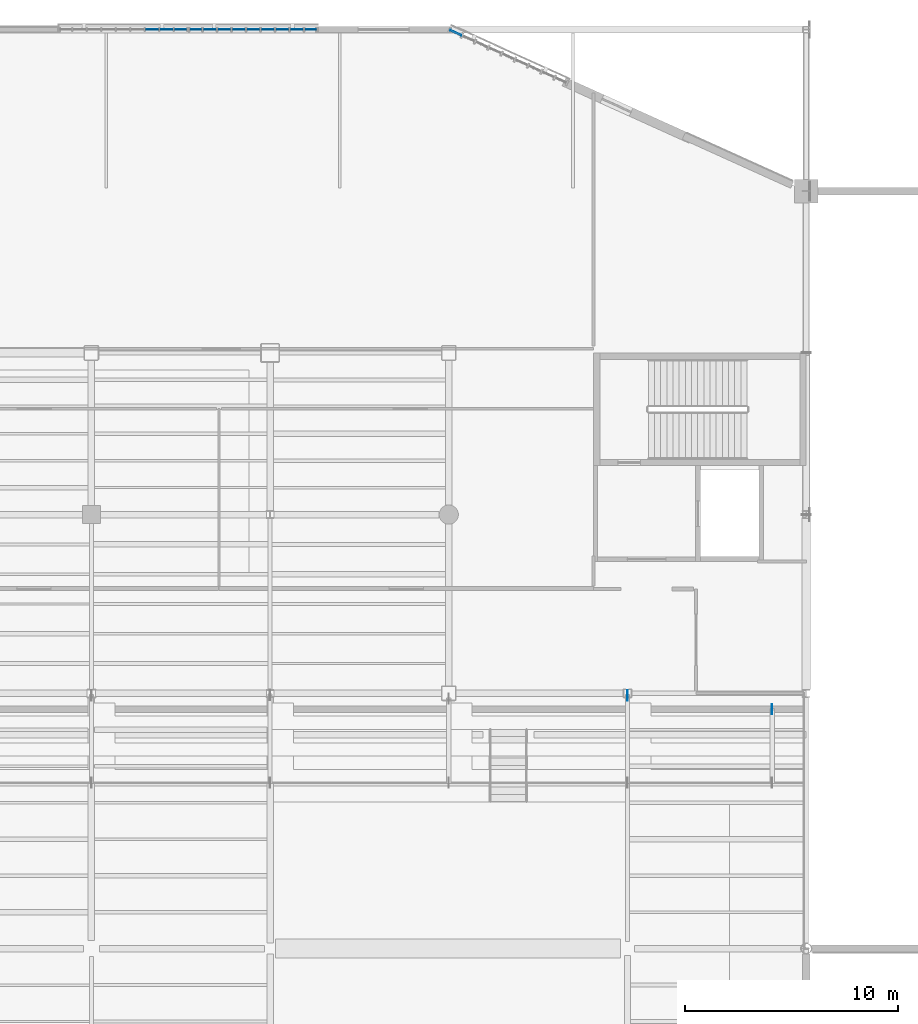
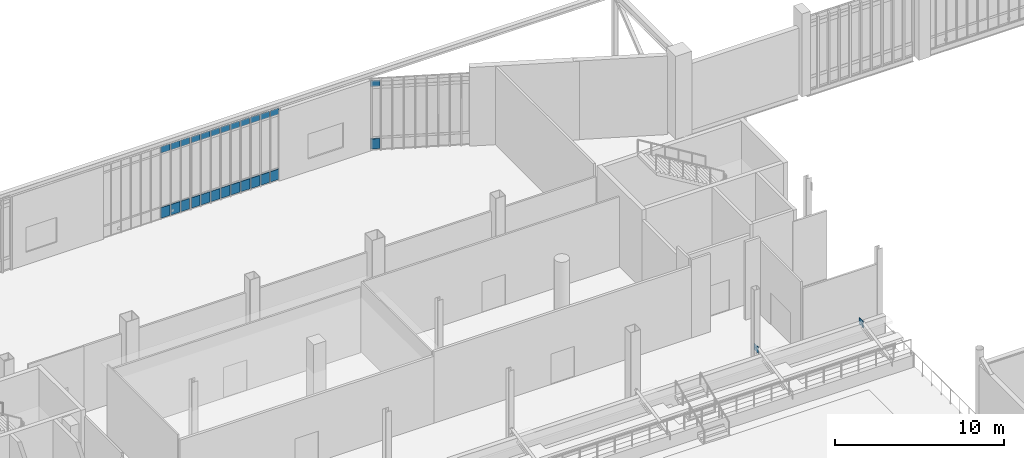
# One storey, part 98 of 135: 28 plates, 3 elements without a shape of their own.
"""IFC4 building model written with IfcOpenShell, lengths in metres."""

from ifc_helpers import new_model, si_unit, direction, frame, origin, origin_2d, place, context, subcontext, project, spatial, rectangle, extrude, material, layer, layer_set, type_object, element, aggregate, save


model = new_model("IFC4")

# Units and contexts
model_context = context("Model", 3, precision=1e-05, world=origin(), true_north=direction((0.0, 1.0)))
body_context = subcontext(model_context, "Body", "Model", "MODEL_VIEW")
ifc_project = project(units=[si_unit("LENGTHUNIT", "METRE"), si_unit("AREAUNIT", "SQUARE_METRE"), si_unit("VOLUMEUNIT", "CUBIC_METRE"), si_unit("PLANEANGLEUNIT", "RADIAN"), si_unit("MASSUNIT", "GRAM", prefix="KILO")], contexts=[model_context])

# Site, building, storey
site_placement = place(None, origin())
site = spatial("IfcSite", under=ifc_project, at=site_placement, CompositionType="ELEMENT")
building_placement = place(site_placement, origin())
building = spatial("IfcBuilding", under=site, at=building_placement, Name="Larkvane Passage Sports Hall", CompositionType="ELEMENT")
storey_placement = place(building_placement, frame((0.0, 0.0, 10.800048828125)))
storey = spatial("IfcBuildingStorey", under=building, at=storey_placement, Name="L02", CompositionType="ELEMENT", Elevation=10.800048828125)

# Curtain wall, plate
ifc_material_1 = material(Name="Thermally broken aluminium and low-E glazing", Category="aluminium")
curtain_wall_type_1 = type_object("IfcCurtainWallType", Name="CW-STICK-FOYER", PredefinedType="USERDEFINED", material=ifc_material_1)
curtain_wall_1_placement = place(storey_placement, origin())
curtain_wall_1 = element("IfcCurtainWall", 1, at=curtain_wall_1_placement, inside=storey, type_object=curtain_wall_type_1, Name="Curtain wall CW5-L02-078", ObjectType="STICK CURTAIN WALL", PredefinedType="USERDEFINED")
ifc_material_2 = material(Name="Fire-stopped shadow-box spandrel panel")
ifc_layer_1 = layer(ifc_material_2, 0.10498046875)
ifc_layer_set_1 = layer_set([ifc_layer_1], Name="Fire-stopped shadow-box spandrel panel")
plate_type_1 = type_object("IfcPlateType", Name="CWP-SPD-105", PredefinedType="CURTAIN_PANEL", material=ifc_layer_set_1)
plate_1_placement = place(storey_placement, frame((77.12939453125, 106.651123046875, 0.080078125), z_axis=(0.0, 0.0, 1.0), x_axis=(0.911109959422, -0.412163367903, 0.0)))
plate_1 = element("IfcPlate", 2, at=plate_1_placement, type_object=plate_type_1, Name="CW-03 panel 1.1", PredefinedType="CURTAIN_PANEL", context=body_context, shape_type="SweptSolid", body=[
    extrude(rectangle(XDim=0.56298828125, YDim=0.10498046875, at=origin_2d()), origin(), (0.0, 0.0, 1.0), 0.72998046875),
])

# Curtain wall, plates
curtain_wall_type_2 = type_object("IfcCurtainWallType", Name="CW-UNIT-COURT", PredefinedType="USERDEFINED", material=ifc_material_1)
curtain_wall_2_placement = place(storey_placement, origin())
curtain_wall_2 = element("IfcCurtainWall", 3, at=curtain_wall_2_placement, inside=storey, type_object=curtain_wall_type_2, Name="Curtain wall CW5-L02-100", ObjectType="UNITISED CURTAIN WALL", PredefinedType="USERDEFINED")
ifc_material_3 = material(Name="Insulated aluminium spandrel panel", Category="aluminium")
ifc_layer_2 = layer(ifc_material_3, 0.06494140625)
ifc_layer_set_2 = layer_set([ifc_layer_2], Name="Insulated aluminium spandrel panel")
plate_type_2 = type_object("IfcPlateType", Name="CWP-SPD-65", PredefinedType="CURTAIN_PANEL", material=ifc_layer_set_2)
plate_2_placement = place(storey_placement, frame((62.8486328125, 106.800048828125, 0.06005859375), z_axis=(0.0, 0.0, 1.0), x_axis=(1.0, 0.0, 0.0)))
plate_2 = element("IfcPlate", 4, at=plate_2_placement, type_object=plate_type_2, Name="CW-01 panel 7.1", PredefinedType="CURTAIN_PANEL", context=body_context, shape_type="SweptSolid", body=[
    extrude(rectangle(XDim=0.62060546875, YDim=0.06494140625, at=origin_2d()), origin(), (0.0, 0.0, 1.0), 0.760009765625),
])
plate_3_placement = place(storey_placement, frame((63.529052734375, 106.800048828125, 0.06005859375), z_axis=(0.0, 0.0, 1.0), x_axis=(1.0, 0.0, 0.0)))
plate_3 = element("IfcPlate", 5, at=plate_3_placement, type_object=plate_type_2, Name="CW-01 panel 8.1", PredefinedType="CURTAIN_PANEL", context=body_context, shape_type="SweptSolid", body=[
    extrude(rectangle(XDim=0.62060546875, YDim=0.06494140625, at=origin_2d()), origin(), (0.0, 0.0, 1.0), 0.760009765625),
])
plate_4_placement = place(storey_placement, frame((64.19482421875, 106.800048828125, 0.06005859375), z_axis=(0.0, 0.0, 1.0), x_axis=(1.0, 0.0, 0.0)))
plate_4 = element("IfcPlate", 6, at=plate_4_placement, type_object=plate_type_2, Name="CW-01 panel 9.1", PredefinedType="CURTAIN_PANEL", context=body_context, shape_type="SweptSolid", body=[
    extrude(rectangle(XDim=0.590576171875, YDim=0.06494140625, at=origin_2d()), origin(), (0.0, 0.0, 1.0), 0.760009765625),
])

curtain_wall_type_3 = type_object("IfcCurtainWallType", Name="CW-UNIT-VEIL", PredefinedType="USERDEFINED", material=ifc_material_1)
curtain_wall_3_placement = place(storey_placement, origin())
curtain_wall_3 = element("IfcCurtainWall", 7, at=curtain_wall_3_placement, inside=storey, type_object=curtain_wall_type_3, Name="Curtain wall CW5-L02-101", ObjectType="UNITISED CURTAIN WALL", PredefinedType="USERDEFINED")
ifc_material_4 = material(Name="Mineral-wool insulated spandrel cassette")
ifc_layer_3 = layer(ifc_material_4, 0.0849609375)
ifc_layer_set_3 = layer_set([ifc_layer_3], Name="Mineral-wool insulated spandrel cassette")
plate_type_3 = type_object("IfcPlateType", Name="CWP-SPD-85", PredefinedType="CURTAIN_PANEL", material=ifc_layer_set_3)
plate_5_placement = place(storey_placement, frame((64.90771484375, 106.800048828125, 0.06982421875), z_axis=(0.0, 0.0, 1.0), x_axis=(1.0, 0.0, 0.0)))
plate_5 = element("IfcPlate", 8, at=plate_5_placement, type_object=plate_type_3, Name="CW-02 panel 1.1", PredefinedType="CURTAIN_PANEL", context=body_context, shape_type="SweptSolid", body=[
    extrude(rectangle(XDim=0.575439453125, YDim=0.0849609375, at=origin_2d()), origin(), (0.0, 0.0, 1.0), 0.7451171875),
])
plate_6_placement = place(storey_placement, frame((65.57080078125, 106.800048828125, 0.06982421875), z_axis=(0.0, 0.0, 1.0), x_axis=(1.0, 0.0, 0.0)))
plate_6 = element("IfcPlate", 9, at=plate_6_placement, type_object=plate_type_3, Name="CW-02 panel 2.1", PredefinedType="CURTAIN_PANEL", context=body_context, shape_type="SweptSolid", body=[
    extrude(rectangle(XDim=0.610595703125, YDim=0.0849609375, at=origin_2d()), origin(), (0.0, 0.0, 1.0), 0.7451171875),
])
plate_7_placement = place(storey_placement, frame((66.25146484375, 106.800048828125, 0.06982421875), z_axis=(0.0, 0.0, 1.0), x_axis=(1.0, 0.0, 0.0)))
plate_7 = element("IfcPlate", 10, at=plate_7_placement, type_object=plate_type_3, Name="CW-02 panel 3.1", PredefinedType="CURTAIN_PANEL", context=body_context, shape_type="SweptSolid", body=[
    extrude(rectangle(XDim=0.610595703125, YDim=0.0849609375, at=origin_2d()), origin(), (0.0, 0.0, 1.0), 0.7451171875),
])
plate_8_placement = place(storey_placement, frame((66.931884765625, 106.800048828125, 0.06982421875), z_axis=(0.0, 0.0, 1.0), x_axis=(1.0, 0.0, 0.0)))
plate_8 = element("IfcPlate", 11, at=plate_8_placement, type_object=plate_type_3, Name="CW-02 panel 4.1", PredefinedType="CURTAIN_PANEL", context=body_context, shape_type="SweptSolid", body=[
    extrude(rectangle(XDim=0.610595703125, YDim=0.0849609375, at=origin_2d()), origin(), (0.0, 0.0, 1.0), 0.7451171875),
])
plate_9_placement = place(storey_placement, frame((67.612548828125, 106.800048828125, 0.06982421875), z_axis=(0.0, 0.0, 1.0), x_axis=(1.0, 0.0, 0.0)))
plate_9 = element("IfcPlate", 12, at=plate_9_placement, type_object=plate_type_3, Name="CW-02 panel 5.1", PredefinedType="CURTAIN_PANEL", context=body_context, shape_type="SweptSolid", body=[
    extrude(rectangle(XDim=0.610595703125, YDim=0.0849609375, at=origin_2d()), origin(), (0.0, 0.0, 1.0), 0.7451171875),
])
plate_10_placement = place(storey_placement, frame((68.29296875, 106.800048828125, 0.06982421875), z_axis=(0.0, 0.0, 1.0), x_axis=(1.0, 0.0, 0.0)))
plate_10 = element("IfcPlate", 13, at=plate_10_placement, type_object=plate_type_3, Name="CW-02 panel 6.1", PredefinedType="CURTAIN_PANEL", context=body_context, shape_type="SweptSolid", body=[
    extrude(rectangle(XDim=0.610595703125, YDim=0.0849609375, at=origin_2d()), origin(), (0.0, 0.0, 1.0), 0.7451171875),
])
plate_11_placement = place(storey_placement, frame((68.9736328125, 106.800048828125, 0.06982421875), z_axis=(0.0, 0.0, 1.0), x_axis=(1.0, 0.0, 0.0)))
plate_11 = element("IfcPlate", 14, at=plate_11_placement, type_object=plate_type_3, Name="CW-02 panel 7.1", PredefinedType="CURTAIN_PANEL", context=body_context, shape_type="SweptSolid", body=[
    extrude(rectangle(XDim=0.610595703125, YDim=0.0849609375, at=origin_2d()), origin(), (0.0, 0.0, 1.0), 0.7451171875),
])
plate_12_placement = place(storey_placement, frame((69.654052734375, 106.800048828125, 0.06982421875), z_axis=(0.0, 0.0, 1.0), x_axis=(1.0, 0.0, 0.0)))
plate_12 = element("IfcPlate", 15, at=plate_12_placement, type_object=plate_type_3, Name="CW-02 panel 8.1", PredefinedType="CURTAIN_PANEL", context=body_context, shape_type="SweptSolid", body=[
    extrude(rectangle(XDim=0.610595703125, YDim=0.0849609375, at=origin_2d()), origin(), (0.0, 0.0, 1.0), 0.7451171875),
])
plate_13_placement = place(storey_placement, frame((70.317138671875, 106.800048828125, 0.06982421875), z_axis=(0.0, 0.0, 1.0), x_axis=(1.0, 0.0, 0.0)))
plate_13 = element("IfcPlate", 16, at=plate_13_placement, type_object=plate_type_3, Name="CW-02 panel 9.1", PredefinedType="CURTAIN_PANEL", context=body_context, shape_type="SweptSolid", body=[
    extrude(rectangle(XDim=0.575439453125, YDim=0.0849609375, at=origin_2d()), origin(), (0.0, 0.0, 1.0), 0.7451171875),
])

# Plate
ifc_material_5 = material(Name="Solar-control low-E double glazing", Category="glass")
ifc_layer_4 = layer(ifc_material_5, 0.028076171875)
ifc_layer_set_4 = layer_set([ifc_layer_4], Name="Solar-control low-E double glazing")
plate_type_4 = type_object("IfcPlateType", Name="CWP-VIS-28", PredefinedType="CURTAIN_PANEL", material=ifc_layer_set_4)
plate_14_placement = place(storey_placement, frame((62.8486328125, 106.800048828125, 4.758056640625), z_axis=(0.0, 0.0, 1.0), x_axis=(1.0, 0.0, 0.0)))
plate_14 = element("IfcPlate", 17, at=plate_14_placement, type_object=plate_type_4, Name="CW-01 panel 7.3", PredefinedType="CURTAIN_PANEL", context=body_context, shape_type="SweptSolid", body=[
    extrude(rectangle(XDim=0.62060546875, YDim=0.028076171875, at=origin_2d()), origin(), (0.0, 0.0, 1.0), 0.4599609375),
])

plate_15_placement = place(storey_placement, frame((63.529052734375, 106.800048828125, 4.758056640625), z_axis=(0.0, 0.0, 1.0), x_axis=(1.0, 0.0, 0.0)))
plate_15 = element("IfcPlate", 18, at=plate_15_placement, type_object=plate_type_4, Name="CW-01 panel 8.3", PredefinedType="CURTAIN_PANEL", context=body_context, shape_type="SweptSolid", body=[
    extrude(rectangle(XDim=0.62060546875, YDim=0.028076171875, at=origin_2d()), origin(), (0.0, 0.0, 1.0), 0.4599609375),
])

plate_16_placement = place(storey_placement, frame((64.19482421875, 106.800048828125, 4.758056640625), z_axis=(0.0, 0.0, 1.0), x_axis=(1.0, 0.0, 0.0)))
plate_16 = element("IfcPlate", 19, at=plate_16_placement, type_object=plate_type_4, Name="CW-01 panel 9.3", PredefinedType="CURTAIN_PANEL", context=body_context, shape_type="SweptSolid", body=[
    extrude(rectangle(XDim=0.590576171875, YDim=0.028076171875, at=origin_2d()), origin(), (0.0, 0.0, 1.0), 0.4599609375),
])

aggregate(curtain_wall_2, [plate_2, plate_14, plate_3, plate_15, plate_4, plate_16])

ifc_material_6 = material(Name="Laminated acoustic low-E glazing", Category="glass")
ifc_layer_5 = layer(ifc_material_6, 0.031982421875)
ifc_layer_set_5 = layer_set([ifc_layer_5], Name="Laminated acoustic low-E glazing")
plate_type_5 = type_object("IfcPlateType", Name="CWP-VIS-32", PredefinedType="CURTAIN_PANEL", material=ifc_layer_set_5)
plate_17_placement = place(storey_placement, frame((64.90771484375, 106.800048828125, 4.7626953125), z_axis=(0.0, 0.0, 1.0), x_axis=(1.0, 0.0, 0.0)))
plate_17 = element("IfcPlate", 20, at=plate_17_placement, type_object=plate_type_5, Name="CW-02 panel 1.3", PredefinedType="CURTAIN_PANEL", context=body_context, shape_type="SweptSolid", body=[
    extrude(rectangle(XDim=0.575439453125, YDim=0.031982421875, at=origin_2d()), origin(), (0.0, 0.0, 1.0), 0.445068359375),
])

plate_18_placement = place(storey_placement, frame((65.57080078125, 106.800048828125, 4.7626953125), z_axis=(0.0, 0.0, 1.0), x_axis=(1.0, 0.0, 0.0)))
plate_18 = element("IfcPlate", 21, at=plate_18_placement, type_object=plate_type_5, Name="CW-02 panel 2.3", PredefinedType="CURTAIN_PANEL", context=body_context, shape_type="SweptSolid", body=[
    extrude(rectangle(XDim=0.610595703125, YDim=0.031982421875, at=origin_2d()), origin(), (0.0, 0.0, 1.0), 0.445068359375),
])

plate_19_placement = place(storey_placement, frame((66.25146484375, 106.800048828125, 4.7626953125), z_axis=(0.0, 0.0, 1.0), x_axis=(1.0, 0.0, 0.0)))
plate_19 = element("IfcPlate", 22, at=plate_19_placement, type_object=plate_type_5, Name="CW-02 panel 3.3", PredefinedType="CURTAIN_PANEL", context=body_context, shape_type="SweptSolid", body=[
    extrude(rectangle(XDim=0.610595703125, YDim=0.031982421875, at=origin_2d()), origin(), (0.0, 0.0, 1.0), 0.445068359375),
])

plate_20_placement = place(storey_placement, frame((66.931884765625, 106.800048828125, 4.7626953125), z_axis=(0.0, 0.0, 1.0), x_axis=(1.0, 0.0, 0.0)))
plate_20 = element("IfcPlate", 23, at=plate_20_placement, type_object=plate_type_5, Name="CW-02 panel 4.3", PredefinedType="CURTAIN_PANEL", context=body_context, shape_type="SweptSolid", body=[
    extrude(rectangle(XDim=0.610595703125, YDim=0.031982421875, at=origin_2d()), origin(), (0.0, 0.0, 1.0), 0.445068359375),
])

plate_21_placement = place(storey_placement, frame((67.612548828125, 106.800048828125, 4.7626953125), z_axis=(0.0, 0.0, 1.0), x_axis=(1.0, 0.0, 0.0)))
plate_21 = element("IfcPlate", 24, at=plate_21_placement, type_object=plate_type_5, Name="CW-02 panel 5.3", PredefinedType="CURTAIN_PANEL", context=body_context, shape_type="SweptSolid", body=[
    extrude(rectangle(XDim=0.610595703125, YDim=0.031982421875, at=origin_2d()), origin(), (0.0, 0.0, 1.0), 0.445068359375),
])

plate_22_placement = place(storey_placement, frame((68.29296875, 106.800048828125, 4.7626953125), z_axis=(0.0, 0.0, 1.0), x_axis=(1.0, 0.0, 0.0)))
plate_22 = element("IfcPlate", 25, at=plate_22_placement, type_object=plate_type_5, Name="CW-02 panel 6.3", PredefinedType="CURTAIN_PANEL", context=body_context, shape_type="SweptSolid", body=[
    extrude(rectangle(XDim=0.610595703125, YDim=0.031982421875, at=origin_2d()), origin(), (0.0, 0.0, 1.0), 0.445068359375),
])

plate_23_placement = place(storey_placement, frame((68.9736328125, 106.800048828125, 4.7626953125), z_axis=(0.0, 0.0, 1.0), x_axis=(1.0, 0.0, 0.0)))
plate_23 = element("IfcPlate", 26, at=plate_23_placement, type_object=plate_type_5, Name="CW-02 panel 7.3", PredefinedType="CURTAIN_PANEL", context=body_context, shape_type="SweptSolid", body=[
    extrude(rectangle(XDim=0.610595703125, YDim=0.031982421875, at=origin_2d()), origin(), (0.0, 0.0, 1.0), 0.445068359375),
])

plate_24_placement = place(storey_placement, frame((69.654052734375, 106.800048828125, 4.7626953125), z_axis=(0.0, 0.0, 1.0), x_axis=(1.0, 0.0, 0.0)))
plate_24 = element("IfcPlate", 27, at=plate_24_placement, type_object=plate_type_5, Name="CW-02 panel 8.3", PredefinedType="CURTAIN_PANEL", context=body_context, shape_type="SweptSolid", body=[
    extrude(rectangle(XDim=0.610595703125, YDim=0.031982421875, at=origin_2d()), origin(), (0.0, 0.0, 1.0), 0.445068359375),
])

plate_25_placement = place(storey_placement, frame((70.317138671875, 106.800048828125, 4.7626953125), z_axis=(0.0, 0.0, 1.0), x_axis=(1.0, 0.0, 0.0)))
plate_25 = element("IfcPlate", 28, at=plate_25_placement, type_object=plate_type_5, Name="CW-02 panel 9.3", PredefinedType="CURTAIN_PANEL", context=body_context, shape_type="SweptSolid", body=[
    extrude(rectangle(XDim=0.575439453125, YDim=0.031982421875, at=origin_2d()), origin(), (0.0, 0.0, 1.0), 0.445068359375),
])

aggregate(curtain_wall_3, [plate_5, plate_17, plate_6, plate_18, plate_7, plate_19, plate_8, plate_20, plate_9, plate_21, plate_10, plate_22, plate_11, plate_23, plate_12, plate_24, plate_13, plate_25])

ifc_material_7 = material(Name="High-impact court low-E glazing", Category="glass")
ifc_layer_6 = layer(ifc_material_7, 0.035888671875)
ifc_layer_set_6 = layer_set([ifc_layer_6], Name="High-impact court low-E glazing")
plate_type_6 = type_object("IfcPlateType", Name="CWP-VIS-36", PredefinedType="CURTAIN_PANEL", material=ifc_layer_set_6)
plate_26_placement = place(storey_placement, frame((77.12939453125, 106.651123046875, 4.56982421875), z_axis=(0.0, 0.0, 1.0), x_axis=(0.911109959422, -0.412163367903, 0.0)))
plate_26 = element("IfcPlate", 29, at=plate_26_placement, type_object=plate_type_6, Name="CW-03 panel 1.3", PredefinedType="CURTAIN_PANEL", context=body_context, shape_type="SweptSolid", body=[
    extrude(rectangle(XDim=0.56298828125, YDim=0.035888671875, at=origin_2d()), origin(), (0.0, 0.0, 1.0), 0.429931640625),
])

aggregate(curtain_wall_1, [plate_1, plate_26])

# Plates
ifc_material_8 = material(Name="Steel S460N", Category="steel")
ifc_layer_7 = layer(ifc_material_8, 0.01611328125)
ifc_layer_set_7 = layer_set([ifc_layer_7], Name="Steel S460N")
plate_type_7 = type_object("IfcPlateType", Name="PLT-GUS-16", PredefinedType="USERDEFINED", material=ifc_layer_set_7)
for number, where, z_axis, x_axis, name in (
    (30, (85.199951171875, 75.5, 1.44189453125), (0.0, 0.0, 1.0), (0.0, 1.0, 0.0), "Brace connection gusset plate 0070"),
    (31, (92.0, 74.85009765625, 1.31005859375), (0.0, 0.0, 1.0), (0.0, 1.0, 0.0), "Brace connection gusset plate 0074"),
):
    element("IfcPlate", number, at=place(storey_placement, frame(where, z_axis=z_axis, x_axis=x_axis)), inside=storey, type_object=plate_type_7, Name=name, ObjectType="GUSSET PLATE", PredefinedType="USERDEFINED", context=body_context, shape_type="SweptSolid", body=[
        extrude(rectangle(XDim=0.47998046875, YDim=0.01611328125, at=origin_2d()), origin(), (0.0, 0.0, 1.0), 0.47998046875),
    ])

save(model, "model.ifc")
